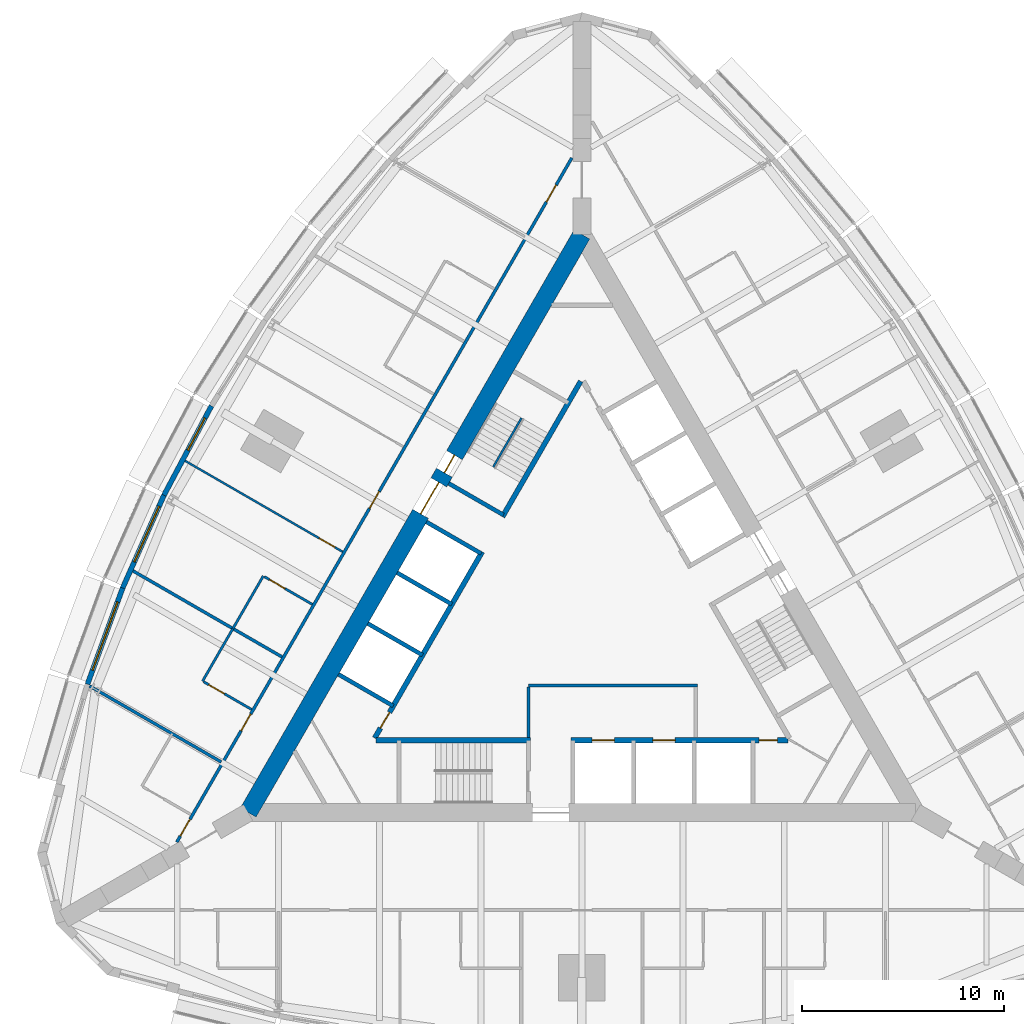
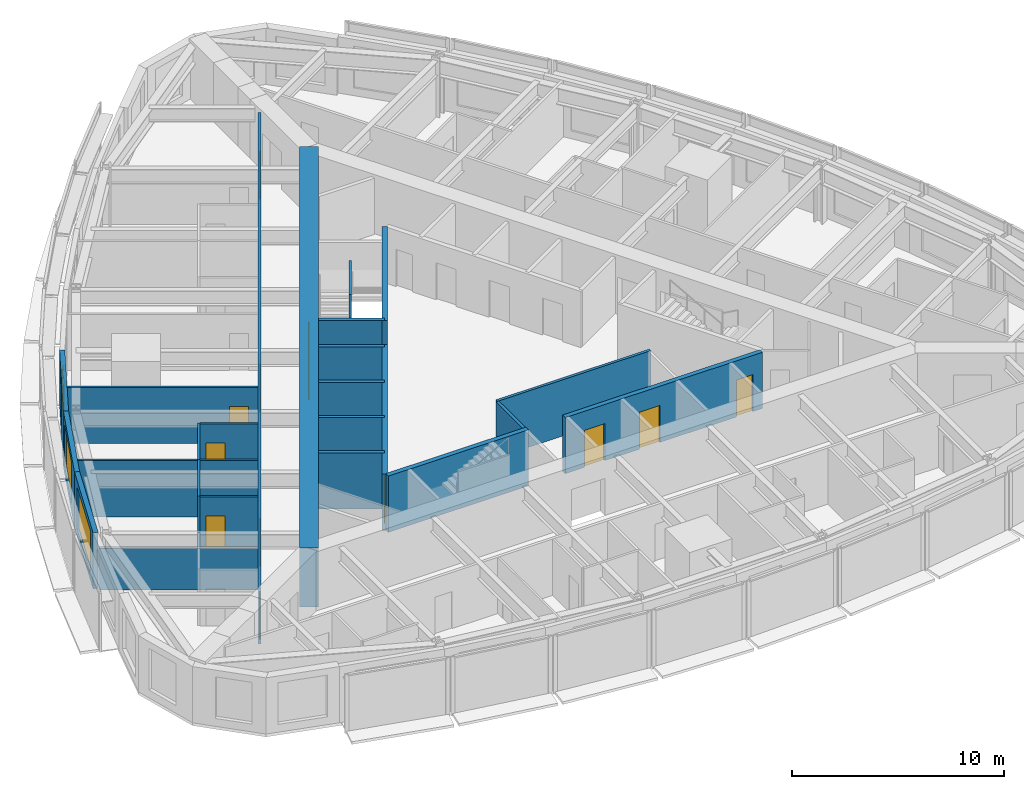
# One storey, part 9 of 14: 24 walls, 13 doors, 3 windows, 16 openings.
"""IFC4 building model written with IfcOpenShell, lengths in metres."""

import ifcopenshell
import ifcopenshell.guid

model = None  # the IFC model being written
_history = None  # IfcOwnerHistory: only IFC2X3 demands one
_inside = {}  # id of a spatial element -> (the spatial element, [elements in it])
_under = {}  # id of a project, library or spatial element -> (it, [spatial elements below it])
_declared = {}  # id of a project -> (the project, [libraries it declares])
_typed = {}  # id of a type object -> (the type object, [elements of that type])
_made_of = {}  # id of a material, layer set ... -> (it, [elements and type objects made of it])


def new_model(schema):
    """Start an empty IFC model of exactly this schema.

    Asked for "IFC4X3", IfcOpenShell would pick the latest addendum, in which some entities
    have other attributes; the version numbers below select the first issue.
    IFC2X3 requires an IfcOwnerHistory on every rooted entity: one is made here for all.
    """
    global model, _history
    if schema == "IFC4X3":
        model = ifcopenshell.file(schema_version=(4, 3, 0, 0))
    else:
        model = ifcopenshell.file(schema=schema)
    _inside.clear()
    _under.clear()
    _declared.clear()
    _typed.clear()
    _made_of.clear()
    _history = None
    if model.schema == "IFC2X3":
        org = make("IfcOrganization", Name="unknown")
        user = make(
            "IfcPersonAndOrganization",
            ThePerson=make("IfcPerson", FamilyName="unknown"),
            TheOrganization=org,
        )
        app = make(
            "IfcApplication",
            ApplicationDeveloper=org,
            Version="unknown",
            ApplicationFullName="unknown",
            ApplicationIdentifier="unknown",
        )
        _history = make(
            "IfcOwnerHistory",
            OwningUser=user,
            OwningApplication=app,
            ChangeAction="ADDED",
            CreationDate=0,
        )
    return model


def make(cls, **values):
    """One entity of the class cls with the attributes given. An attribute that is None is left unset."""
    return model.create_entity(
        cls, **{name: value for name, value in values.items() if value is not None}
    )


def rooted(cls, **values):
    """An entity with a GlobalId (a new one), such as an element, a storey or a relation."""
    return make(cls, GlobalId=ifcopenshell.guid.new(), OwnerHistory=_history, **values)


def si_unit(unit_type, name, prefix=None):
    """IfcSIUnit, for example si_unit("LENGTHUNIT", "METRE", prefix="MILLI")."""
    return make("IfcSIUnit", UnitType=unit_type, Prefix=prefix, Name=name)


def assignment(units):
    """IfcUnitAssignment: the units of a project."""
    return None if units is None else make("IfcUnitAssignment", Units=units)


def point(xyz):
    """IfcCartesianPoint."""
    return None if xyz is None else make("IfcCartesianPoint", Coordinates=xyz)


def direction(xyz):
    """IfcDirection."""
    return None if xyz is None else make("IfcDirection", DirectionRatios=xyz)


def frame(location, z_axis=None, x_axis=None):
    """IfcAxis2Placement3D, a coordinate frame: its origin and axes. An axis left out is left unset."""
    return make(
        "IfcAxis2Placement3D",
        Location=point(location),
        Axis=direction(z_axis),
        RefDirection=direction(x_axis),
    )


def frame_2d(location, x_axis=None):
    """IfcAxis2Placement2D, a coordinate frame in the plane: its origin and x axis."""
    return make(
        "IfcAxis2Placement2D", Location=point(location), RefDirection=direction(x_axis)
    )


def origin():
    """The frame at (0, 0, 0) with its axes left unset."""
    return frame((0.0, 0.0, 0.0))


def place(relative_to, where):
    """IfcLocalPlacement: puts the frame where relative to a parent placement (None: the world)."""
    return make(
        "IfcLocalPlacement", PlacementRelTo=relative_to, RelativePlacement=where
    )


def context(
    kind, dimensions, precision=None, world=None, true_north=None, identifier=None
):
    """IfcGeometricRepresentationContext, for example the 3D "Model" context."""
    return make(
        "IfcGeometricRepresentationContext",
        ContextIdentifier=identifier,
        ContextType=kind,
        CoordinateSpaceDimension=dimensions,
        Precision=precision,
        WorldCoordinateSystem=world,
        TrueNorth=true_north,
    )


def subcontext(parent, identifier, kind, view, scale=None):
    """IfcGeometricRepresentationSubContext, for example "Body" below "Model"."""
    return make(
        "IfcGeometricRepresentationSubContext",
        ContextIdentifier=identifier,
        ContextType=kind,
        ParentContext=parent,
        TargetScale=scale,
        TargetView=view,
    )


def project(units=None, contexts=None):
    """IfcProject with its units and contexts."""
    return rooted(
        "IfcProject",
        Name="project",
        RepresentationContexts=contexts,
        UnitsInContext=assignment(units),
    )


def spatial(cls, under=None, at=None, **own):
    """A site, building, storey or space (cls), placed at a placement, below another one or the project."""
    s = rooted(cls, ObjectPlacement=at, **own)
    if under is not None:
        _under.setdefault(under.id(), (under, []))[1].append(s)
    return s


def profile(cls, at=None, kind="AREA", **sizes):
    """A parametric profile (cls). Its sizes go by their IFC names, for example OverallWidth=200.0."""
    return make(cls, ProfileType=kind, Position=at, **sizes)


def rectangle(**sizes):
    """IfcRectangleProfileDef."""
    return profile("IfcRectangleProfileDef", **sizes)


def extrude(swept, where, along, depth):
    """IfcExtrudedAreaSolid: the profile swept, set in the frame where, extruded along a direction by depth."""
    return make(
        "IfcExtrudedAreaSolid",
        SweptArea=swept,
        Position=where,
        ExtrudedDirection=direction(along),
        Depth=depth,
    )


def shape(context_of_items, identifier, shape_type, items):
    """IfcShapeRepresentation: the items that make up one representation, for example the "Body"."""
    return make(
        "IfcShapeRepresentation",
        ContextOfItems=context_of_items,
        RepresentationIdentifier=identifier,
        RepresentationType=shape_type,
        Items=items,
    )


def material(Name=None, Category=None):
    """IfcMaterial."""
    return make("IfcMaterial", Name=Name, Category=Category)


def layer(
    of_material, thickness, ventilated=None, Name=None, Category=None, Priority=None
):
    """IfcMaterialLayer: one layer of a wall or slab, of a material (None: an air gap)."""
    return make(
        "IfcMaterialLayer",
        Material=of_material,
        LayerThickness=thickness,
        IsVentilated=ventilated,
        Name=Name,
        Category=Category,
        Priority=Priority,
    )


def layer_set(layers, Name=None):
    """IfcMaterialLayerSet."""
    return make("IfcMaterialLayerSet", MaterialLayers=layers, LayerSetName=Name)


def made_of(thing, what):
    """Note that an element or type object is made of a material, layer set ...; save() writes the relation."""
    if what is not None:
        _made_of.setdefault(what.id(), (what, []))[1].append(thing)
    return thing


def type_object(cls, material=None, **own):
    """A type object (cls), such as IfcWallType, which elements share."""
    return made_of(rooted(cls, **own), material)


def element(
    cls,
    number,
    at=None,
    inside=None,
    cuts=None,
    type_object=None,
    material=None,
    context=None,
    identifier="Body",
    shape_type=None,
    held_by="IfcProductDefinitionShape",
    body=None,
    shapes=None,
    **own,
):
    """One element of the class cls, such as IfcWall. Its Tag is "e" and its number.

    at: its placement. inside: the storey or other place that contains it. cuts: it is an
    opening in that element (IfcRelVoidsElement). A single representation is given by context,
    identifier, shape_type and body (its items); several are given by shapes. held_by: the class
    of the entity that holds the representations. save() writes the other relations.
    """
    e = rooted(cls, Tag="e%d" % number, ObjectPlacement=at, **own)
    if body is not None:
        shapes = [shape(context, identifier, shape_type, body)]
    if shapes is not None:
        e.Representation = make(held_by, Representations=shapes)
    if inside is not None:
        _inside.setdefault(inside.id(), (inside, []))[1].append(e)
    if cuts is not None:
        rooted(
            "IfcRelVoidsElement", RelatingBuildingElement=cuts, RelatedOpeningElement=e
        )
    if type_object is not None:
        _typed.setdefault(type_object.id(), (type_object, []))[1].append(e)
    return made_of(e, material)


def fill(opening, filler):
    """IfcRelFillsElement: the door or window that sits in an opening."""
    return rooted(
        "IfcRelFillsElement",
        RelatingOpeningElement=opening,
        RelatedBuildingElement=filler,
    )


def aggregate(whole, parts):
    """IfcRelAggregates: a whole, such as a stair, and the parts it consists of."""
    return rooted("IfcRelAggregates", RelatingObject=whole, RelatedObjects=parts)


def save(model, path):
    """Write the relations noted so far, then the file.

    IfcRelAggregates (storeys below a building ...), IfcRelContainedInSpatialStructure (elements
    in a storey), IfcRelDefinesByType, IfcRelAssociatesMaterial and IfcRelDeclares: one each for
    every whole, place, type object, material and project.
    """
    for whole, parts in _under.values():
        aggregate(whole, parts)
    for where, things in _inside.values():
        rooted(
            "IfcRelContainedInSpatialStructure",
            RelatedElements=things,
            RelatingStructure=where,
        )
    for kind, things in _typed.values():
        rooted("IfcRelDefinesByType", RelatedObjects=things, RelatingType=kind)
    for what, things in _made_of.values():
        rooted("IfcRelAssociatesMaterial", RelatedObjects=things, RelatingMaterial=what)
    for by, libraries in _declared.values():
        rooted("IfcRelDeclares", RelatingContext=by, RelatedDefinitions=libraries)
    model.write(path)


model = new_model("IFC4")

# Units and contexts
model_context = context("Model", 3, precision=1e-05, world=origin(), true_north=direction((0.0, 1.0)))
body_context = subcontext(model_context, "Body", "Model", "MODEL_VIEW")
ifc_project = project(units=[si_unit("LENGTHUNIT", "METRE"), si_unit("AREAUNIT", "SQUARE_METRE"), si_unit("VOLUMEUNIT", "CUBIC_METRE"), si_unit("PLANEANGLEUNIT", "RADIAN"), si_unit("MASSUNIT", "GRAM", prefix="KILO")], contexts=[model_context])

# Site, building, storey
site_placement = place(None, origin())
site = spatial("IfcSite", under=ifc_project, at=site_placement, CompositionType="ELEMENT")
building_placement = place(site_placement, origin())
building = spatial("IfcBuilding", under=site, at=building_placement, Name="Trikona Tower", CompositionType="ELEMENT")
storey_placement = place(building_placement, frame((0.0, 0.0, 165.699951171875)))
storey = spatial("IfcBuildingStorey", under=building, at=storey_placement, Name="L44", CompositionType="ELEMENT", Elevation=165.699951171875)

# Wall
ifc_material_1 = material(Name="Metal stud and cement board", Category="gypsum")
ifc_layer_1 = layer(ifc_material_1, 0.1201171875)
ifc_layer_set_1 = layer_set([ifc_layer_1], Name="Bathroom wall 120")
wall_type_1 = type_object("IfcWallType", Name="Bathroom wall 120", PredefinedType="PLUMBINGWALL", material=ifc_layer_set_1)
wall_1_placement = place(storey_placement, frame((-15.75341796875, 2.1669921875, 0.0), z_axis=(0.0, 0.0, 1.0), x_axis=(-0.499990139034, -0.866031096941, 0.0)))
element("IfcWall", 1, at=wall_1_placement, inside=storey, type_object=wall_type_1, Name="Bathroom wall 4411.2", PredefinedType="PLUMBINGWALL", context=body_context, shape_type="SweptSolid", body=[
    extrude(rectangle(XDim=3.0, YDim=0.1201171875, at=frame_2d((1.5, 0.0))), origin(), (0.0, 0.0, 1.0), 3.235107421875),
])

# Wall, opening, door
wall_2_placement = place(storey_placement, frame((-13.32861328125, 0.76708984375, 0.0), z_axis=(0.0, 0.0, 1.0), x_axis=(-0.866035715982, 0.499982138324, 0.0)))
wall_2 = element("IfcWall", 2, at=wall_2_placement, inside=storey, type_object=wall_type_1, Name="Bathroom wall 4411.2", PredefinedType="PLUMBINGWALL", context=body_context, shape_type="SweptSolid", body=[
    extrude(rectangle(XDim=2.73974609375, YDim=0.1201171875, at=frame_2d((1.369873046875, 0.0))), origin(), (0.0, 0.0, 1.0), 3.235107421875),
])
opening_1_placement = place(wall_2_placement, frame((1.550048828125, 0.0, 0.0)))
opening_1 = element("IfcOpeningElement", 3, at=opening_1_placement, cuts=wall_2, Name="Opening D2", PredefinedType="OPENING", context=body_context, shape_type="SweptSolid", body=[
    extrude(rectangle(XDim=0.89990234375, YDim=2.1298828125, at=frame_2d((0.449951171875, 1.06494140625))), frame((0.0, 0.070068359375, 0.0), z_axis=(0.0, -1.0, 0.0), x_axis=(1.0, 0.0, 0.0)), (0.0, 0.0, 1.0), 0.14013671875),
])
ifc_material_2 = material(Name="Steel door frame with solid-core timber leaf", Category="steel")
door_type_1 = type_object("IfcDoorType", Name="Bathroom door 900x2130", OperationType="SLIDING_TO_LEFT", PredefinedType="DOOR", material=ifc_material_2)
door_1_placement = place(opening_1_placement, origin())
door_1 = element("IfcDoor", 4, at=door_1_placement, inside=storey, type_object=door_type_1, Name="Bathroom door 4411.2", OperationType="SLIDING_TO_LEFT", OverallHeight=2.1298828125, OverallWidth=0.89990234375, PredefinedType="DOOR", context=body_context, shape_type="SweptSolid", body=[
    extrude(rectangle(XDim=0.89990234375, YDim=2.1298828125, at=frame_2d((0.449951171875, 1.06494140625))), frame((0.0, 0.02490234375, 0.0), z_axis=(0.0, -1.0, 0.0), x_axis=(1.0, 0.0, 0.0)), (0.0, 0.0, 1.0), 0.050048828125),
])
fill(opening_1, door_1)

# Wall
wall_3_placement = place(storey_placement, frame((-17.25341796875, -0.43115234375, 0.0), z_axis=(0.0, 0.0, 1.0), x_axis=(-0.499990139034, -0.866031096941, 0.0)))
element("IfcWall", 5, at=wall_3_placement, inside=storey, type_object=wall_type_1, Name="Bathroom wall 4412", PredefinedType="PLUMBINGWALL", context=body_context, shape_type="SweptSolid", body=[
    extrude(rectangle(XDim=3.0, YDim=0.1201171875, at=frame_2d((1.5, 0.0))), origin(), (0.0, 0.0, 1.0), 3.235107421875),
])

# Wall, opening, door
wall_4_placement = place(storey_placement, frame((-16.32861328125, -4.42919921875, 0.0), z_axis=(0.0, 0.0, 1.0), x_axis=(-0.865997131366, 0.500048966069, 0.0)))
wall_4 = element("IfcWall", 6, at=wall_4_placement, inside=storey, type_object=wall_type_1, Name="Bathroom wall 4412", PredefinedType="PLUMBINGWALL", context=body_context, shape_type="SweptSolid", body=[
    extrude(rectangle(XDim=2.739990234375, YDim=0.1201171875, at=frame_2d((1.3701171875, 0.0))), origin(), (0.0, 0.0, 1.0), 3.235107421875),
])
opening_2_placement = place(wall_4_placement, frame((1.550048828125, 0.0, 0.0)))
opening_2 = element("IfcOpeningElement", 7, at=opening_2_placement, cuts=wall_4, Name="Opening D2", PredefinedType="OPENING", context=body_context, shape_type="SweptSolid", body=[
    extrude(rectangle(XDim=0.89990234375, YDim=2.1298828125, at=frame_2d((0.449951171875, 1.06494140625))), frame((0.0, 0.070068359375, 0.0), z_axis=(0.0, -1.0, 0.0), x_axis=(1.0, 0.0, 0.0)), (0.0, 0.0, 1.0), 0.14013671875),
])
door_2_placement = place(opening_2_placement, origin())
door_2 = element("IfcDoor", 8, at=door_2_placement, inside=storey, type_object=door_type_1, Name="Bathroom door 4412", OperationType="SLIDING_TO_LEFT", OverallHeight=2.1298828125, OverallWidth=0.89990234375, PredefinedType="DOOR", context=body_context, shape_type="SweptSolid", body=[
    extrude(rectangle(XDim=0.89990234375, YDim=2.1298828125, at=frame_2d((0.449951171875, 1.06494140625))), frame((0.0, 0.02490234375, 0.0), z_axis=(0.0, -1.0, 0.0), x_axis=(1.0, 0.0, 0.0)), (0.0, 0.0, 1.0), 0.050048828125),
])
fill(opening_2, door_2)

# Wall, openings, doors
ifc_material_3 = material(Name="Concrete f'c 10000 psi", Category="concrete")
ifc_layer_2 = layer(ifc_material_3, 0.89990234375)
ifc_layer_set_2 = layer_set([ifc_layer_2], Name="Core wall 900")
wall_type_2 = type_object("IfcWallType", Name="Core wall 900", PredefinedType="SHEAR", material=ifc_layer_set_2)
wall_5_placement = place(storey_placement, frame((0.0, 19.052490234375, 0.0), z_axis=(0.0, 0.0, 1.0), x_axis=(-0.499999749417, -0.866025548458, 0.0)))
wall_5 = element("IfcWall", 9, at=wall_5_placement, inside=storey, type_object=wall_type_2, Name="Core wall C", PredefinedType="SHEAR", context=body_context, shape_type="SweptSolid", body=[
    extrude(rectangle(XDim=33.0, YDim=0.89990234375, at=frame_2d((16.5, 0.0))), origin(), (0.0, 0.0, 1.0), 3.400146484375),
])
opening_3_placement = place(wall_5_placement, frame((14.14990234375, 0.0, 0.0)))
opening_3 = element("IfcOpeningElement", 10, at=opening_3_placement, cuts=wall_5, Name="Opening D6", PredefinedType="OPENING", context=body_context, shape_type="SweptSolid", body=[
    extrude(rectangle(XDim=1.800048828125, YDim=2.1298828125, at=frame_2d((0.89990234375, 1.06494140625))), frame((0.0, 0.4599609375, 0.0), z_axis=(0.0, -1.0, 0.0), x_axis=(1.0, 0.0, 0.0)), (0.0, 0.0, 1.0), 0.919921875),
])
opening_4_placement = place(wall_5_placement, frame((12.60009765625, 0.0, 0.0)))
opening_4 = element("IfcOpeningElement", 11, at=opening_4_placement, cuts=wall_5, Name="Opening D5", PredefinedType="OPENING", context=body_context, shape_type="SweptSolid", body=[
    extrude(rectangle(XDim=1.0, YDim=2.1298828125, at=frame_2d((0.5, 1.06494140625))), frame((0.0, 0.4599609375, 0.0), z_axis=(0.0, -1.0, 0.0), x_axis=(1.0, 0.0, 0.0)), (0.0, 0.0, 1.0), 0.919921875),
])
ifc_material_4 = material(Name="Hollow metal door and frame", Category="steel")
door_type_2 = type_object("IfcDoorType", Name="Lobby door pair 1800x2130", OperationType="DOUBLE_DOOR_SINGLE_SWING", PredefinedType="DOOR", material=ifc_material_4)
door_3_placement = place(opening_3_placement, origin())
door_3 = element("IfcDoor", 12, at=door_3_placement, inside=storey, type_object=door_type_2, Name="Lift lobby door C", OperationType="DOUBLE_DOOR_SINGLE_SWING", OverallHeight=2.1298828125, OverallWidth=1.800048828125, PredefinedType="DOOR", context=body_context, shape_type="SweptSolid", body=[
    extrude(rectangle(XDim=1.800048828125, YDim=2.1298828125, at=frame_2d((0.89990234375, 1.06494140625))), frame((0.0, 0.02490234375, 0.0), z_axis=(0.0, -1.0, 0.0), x_axis=(1.0, 0.0, 0.0)), (0.0, 0.0, 1.0), 0.050048828125),
])
fill(opening_3, door_3)
ifc_material_5 = material(Name="Hollow metal door and frame", Category="steel")
door_type_3 = type_object("IfcDoorType", Name="Stair door 1000x2130", OperationType="SINGLE_SWING_LEFT", PredefinedType="DOOR", material=ifc_material_5)
door_4_placement = place(opening_4_placement, origin())
door_4 = element("IfcDoor", 13, at=door_4_placement, inside=storey, type_object=door_type_3, Name="Stair C door", OperationType="SINGLE_SWING_RIGHT", OverallHeight=2.1298828125, OverallWidth=1.0, PredefinedType="DOOR", context=body_context, shape_type="SweptSolid", body=[
    extrude(rectangle(XDim=1.0, YDim=2.1298828125, at=frame_2d((0.5, 1.06494140625))), frame((0.0, 0.02490234375, 0.0), z_axis=(0.0, -1.0, 0.0), x_axis=(1.0, 0.0, 0.0)), (0.0, 0.0, 1.0), 0.050048828125),
])
fill(opening_4, door_4)

ifc_material_6 = material(Name="Metal stud and gypsum board, 1-hour", Category="gypsum")
ifc_layer_3 = layer(ifc_material_6, 0.14990234375)
ifc_layer_set_3 = layer_set([ifc_layer_3], Name="Corridor wall 150")
wall_type_3 = type_object("IfcWallType", Name="Corridor wall 150", PredefinedType="PARTITIONING", material=ifc_layer_set_3)
wall_6_placement = place(storey_placement, frame((-0.5, 22.83642578125, 0.0), z_axis=(0.0, 0.0, 1.0), x_axis=(-0.500001677587, -0.866024435227, 0.0)))
wall_6 = element("IfcWall", 14, at=wall_6_placement, inside=storey, type_object=wall_type_3, Name="Corridor wall L44-3", PredefinedType="PARTITIONING", context=body_context, shape_type="SweptSolid", body=[
    extrude(rectangle(XDim=39.053955078125, YDim=0.14990234375, at=frame_2d((19.52685546875, 0.0))), origin(), (0.0, 0.0, 1.0), 3.235107421875),
])
opening_5_placement = place(wall_6_placement, frame((1.558349609375, 0.0, 0.0)))
opening_5 = element("IfcOpeningElement", 15, at=opening_5_placement, cuts=wall_6, Name="Opening D1", PredefinedType="OPENING", context=body_context, shape_type="SweptSolid", body=[
    extrude(rectangle(XDim=0.949951171875, YDim=2.1298828125, at=frame_2d((0.47509765625, 1.06494140625))), frame((0.0, 0.0849609375, 0.0), z_axis=(0.0, -1.0, 0.0), x_axis=(1.0, 0.0, 0.0)), (0.0, 0.0, 1.0), 0.169921875),
])
opening_6_placement = place(wall_6_placement, frame((19.052001953125, 0.0, 0.0)))
opening_6 = element("IfcOpeningElement", 16, at=opening_6_placement, cuts=wall_6, Name="Opening D1", PredefinedType="OPENING", context=body_context, shape_type="SweptSolid", body=[
    extrude(rectangle(XDim=0.949951171875, YDim=2.1298828125, at=frame_2d((0.47509765625, 1.06494140625))), frame((0.0, 0.0849609375, 0.0), z_axis=(0.0, -1.0, 0.0), x_axis=(1.0, 0.0, 0.0)), (0.0, 0.0, 1.0), 0.169921875),
])
opening_7_placement = place(wall_6_placement, frame((31.751953125, 0.0, 0.0)))
opening_7 = element("IfcOpeningElement", 17, at=opening_7_placement, cuts=wall_6, Name="Opening D1", PredefinedType="OPENING", context=body_context, shape_type="SweptSolid", body=[
    extrude(rectangle(XDim=0.949951171875, YDim=2.1298828125, at=frame_2d((0.47509765625, 1.06494140625))), frame((0.0, 0.0849609375, 0.0), z_axis=(0.0, -1.0, 0.0), x_axis=(1.0, 0.0, 0.0)), (0.0, 0.0, 1.0), 0.169921875),
])
opening_8_placement = place(wall_6_placement, frame((37.751953125, 0.0, 0.0)))
opening_8 = element("IfcOpeningElement", 18, at=opening_8_placement, cuts=wall_6, Name="Opening D1", PredefinedType="OPENING", context=body_context, shape_type="SweptSolid", body=[
    extrude(rectangle(XDim=0.949951171875, YDim=2.1298828125, at=frame_2d((0.47509765625, 1.06494140625))), frame((0.0, 0.0849609375, 0.0), z_axis=(0.0, -1.0, 0.0), x_axis=(1.0, 0.0, 0.0)), (0.0, 0.0, 1.0), 0.169921875),
])
ifc_material_7 = material(Name="Steel door frame with solid-core timber leaf", Category="steel")
door_type_4 = type_object("IfcDoorType", Name="Guest room door 950x2130", OperationType="SINGLE_SWING_LEFT", PredefinedType="DOOR", material=ifc_material_7)
door_5_placement = place(opening_5_placement, origin())
door_5 = element("IfcDoor", 19, at=door_5_placement, inside=storey, type_object=door_type_4, Name="Room door 4410", OperationType="SINGLE_SWING_LEFT", OverallHeight=2.1298828125, OverallWidth=0.949951171875, PredefinedType="DOOR", context=body_context, shape_type="SweptSolid", body=[
    extrude(rectangle(XDim=0.949951171875, YDim=2.1298828125, at=frame_2d((0.47509765625, 1.06494140625))), frame((0.0, 0.02490234375, 0.0), z_axis=(0.0, -1.0, 0.0), x_axis=(1.0, 0.0, 0.0)), (0.0, 0.0, 1.0), 0.050048828125),
])
fill(opening_5, door_5)
door_6_placement = place(opening_6_placement, origin())
door_6 = element("IfcDoor", 20, at=door_6_placement, inside=storey, type_object=door_type_4, Name="Room door 4411", OperationType="SINGLE_SWING_RIGHT", OverallHeight=2.1298828125, OverallWidth=0.949951171875, PredefinedType="DOOR", context=body_context, shape_type="SweptSolid", body=[
    extrude(rectangle(XDim=0.949951171875, YDim=2.1298828125, at=frame_2d((0.47509765625, 1.06494140625))), frame((0.0, 0.02490234375, 0.0), z_axis=(0.0, -1.0, 0.0), x_axis=(1.0, 0.0, 0.0)), (0.0, 0.0, 1.0), 0.050048828125),
])
fill(opening_6, door_6)
door_7_placement = place(opening_7_placement, origin())
door_7 = element("IfcDoor", 21, at=door_7_placement, inside=storey, type_object=door_type_4, Name="Room door 4412", OperationType="SINGLE_SWING_LEFT", OverallHeight=2.1298828125, OverallWidth=0.949951171875, PredefinedType="DOOR", context=body_context, shape_type="SweptSolid", body=[
    extrude(rectangle(XDim=0.949951171875, YDim=2.1298828125, at=frame_2d((0.47509765625, 1.06494140625))), frame((0.0, 0.02490234375, 0.0), z_axis=(0.0, -1.0, 0.0), x_axis=(1.0, 0.0, 0.0)), (0.0, 0.0, 1.0), 0.050048828125),
])
fill(opening_7, door_7)
door_8_placement = place(opening_8_placement, origin())
door_8 = element("IfcDoor", 22, at=door_8_placement, inside=storey, type_object=door_type_4, Name="Room door 4413", OperationType="SINGLE_SWING_RIGHT", OverallHeight=2.1298828125, OverallWidth=0.949951171875, PredefinedType="DOOR", context=body_context, shape_type="SweptSolid", body=[
    extrude(rectangle(XDim=0.949951171875, YDim=2.1298828125, at=frame_2d((0.47509765625, 1.06494140625))), frame((0.0, 0.02490234375, 0.0), z_axis=(0.0, -1.0, 0.0), x_axis=(1.0, 0.0, 0.0)), (0.0, 0.0, 1.0), 0.050048828125),
])
fill(opening_8, door_8)

# Wall
ifc_material_8 = material(Name="Concrete f'c 8000 psi", Category="concrete")
ifc_layer_4 = layer(ifc_material_8, 0.25)
ifc_layer_set_4 = layer_set([ifc_layer_4], Name="Hub wall 250")
wall_type_4 = type_object("IfcWallType", Name="Hub wall 250", PredefinedType="SOLIDWALL", material=ifc_layer_set_4)
wall_7_placement = place(storey_placement, frame((-10.182861328125, -5.951416015625, 0.0), z_axis=(0.0, 0.0, 1.0), x_axis=(1.0, 0.0, 0.0)))
element("IfcWall", 23, at=wall_7_placement, inside=storey, type_object=wall_type_4, Name="Lift lobby wall A1", PredefinedType="SOLIDWALL", context=body_context, shape_type="SweptSolid", body=[
    extrude(rectangle(XDim=7.6328125, YDim=0.25, at=frame_2d((3.81640625, 0.0))), origin(), (0.0, 0.0, 1.0), 3.235107421875),
])

# Wall, openings, doors
wall_8_placement = place(storey_placement, frame((-0.550048828125, -5.951416015625, 0.0), z_axis=(0.0, 0.0, 1.0), x_axis=(1.0, 0.0, 0.0)))
wall_8 = element("IfcWall", 24, at=wall_8_placement, inside=storey, type_object=wall_type_4, Name="Lift lobby wall A2", PredefinedType="SOLIDWALL", context=body_context, shape_type="SweptSolid", body=[
    extrude(rectangle(XDim=10.73291015625, YDim=0.25, at=frame_2d((5.366455078125, 0.0))), origin(), (0.0, 0.0, 1.0), 3.235107421875),
])
opening_9_placement = place(wall_8_placement, frame((9.31396484375, 0.0, 0.0)))
opening_9 = element("IfcOpeningElement", 25, at=opening_9_placement, cuts=wall_8, Name="Opening D14", PredefinedType="OPENING", context=body_context, shape_type="SweptSolid", body=[
    extrude(rectangle(XDim=0.89990234375, YDim=2.1298828125, at=frame_2d((0.449951171875, 1.06494140625))), frame((0.0, 0.135009765625, 0.0), z_axis=(0.0, -1.0, 0.0), x_axis=(1.0, 0.0, 0.0)), (0.0, 0.0, 1.0), 0.27001953125),
])
opening_10_placement = place(wall_8_placement, frame((1.050048828125, 0.0, 0.0)))
opening_10 = element("IfcOpeningElement", 26, at=opening_10_placement, cuts=wall_8, Name="Opening LD", PredefinedType="OPENING", context=body_context, shape_type="SweptSolid", body=[
    extrude(rectangle(XDim=1.10009765625, YDim=2.1298828125, at=frame_2d((0.550048828125, 1.06494140625))), frame((0.0, 0.135009765625, 0.0), z_axis=(0.0, -1.0, 0.0), x_axis=(1.0, 0.0, 0.0)), (0.0, 0.0, 1.0), 0.27001953125),
])
opening_11_placement = place(wall_8_placement, frame((4.050048828125, 0.0, 0.0)))
opening_11 = element("IfcOpeningElement", 27, at=opening_11_placement, cuts=wall_8, Name="Opening LD", PredefinedType="OPENING", context=body_context, shape_type="SweptSolid", body=[
    extrude(rectangle(XDim=1.10009765625, YDim=2.1298828125, at=frame_2d((0.550048828125, 1.06494140625))), frame((0.0, 0.135009765625, 0.0), z_axis=(0.0, -1.0, 0.0), x_axis=(1.0, 0.0, 0.0)), (0.0, 0.0, 1.0), 0.27001953125),
])
ifc_material_9 = material(Name="Stainless steel lift landing door", Category="steel")
door_type_5 = type_object("IfcDoorType", Name="Lift landing door 1100x2130", OperationType="DOUBLE_DOOR_SLIDING", PredefinedType="USERDEFINED", material=ifc_material_9)
door_9_placement = place(opening_10_placement, origin())
door_9 = element("IfcDoor", 28, at=door_9_placement, inside=storey, type_object=door_type_5, Name="Lift landing door FF1", ObjectType="LIFT LANDING DOOR", OperationType="DOUBLE_DOOR_SLIDING", OverallHeight=2.1298828125, OverallWidth=1.10009765625, PredefinedType="USERDEFINED", context=body_context, shape_type="SweptSolid", body=[
    extrude(rectangle(XDim=1.10009765625, YDim=2.1298828125, at=frame_2d((0.550048828125, 1.06494140625))), frame((0.0, 0.02490234375, 0.0), z_axis=(0.0, -1.0, 0.0), x_axis=(1.0, 0.0, 0.0)), (0.0, 0.0, 1.0), 0.050048828125),
])
fill(opening_10, door_9)
door_10_placement = place(opening_11_placement, origin())
door_10 = element("IfcDoor", 29, at=door_10_placement, inside=storey, type_object=door_type_5, Name="Lift landing door FF2", ObjectType="LIFT LANDING DOOR", OperationType="DOUBLE_DOOR_SLIDING", OverallHeight=2.1298828125, OverallWidth=1.10009765625, PredefinedType="USERDEFINED", context=body_context, shape_type="SweptSolid", body=[
    extrude(rectangle(XDim=1.10009765625, YDim=2.1298828125, at=frame_2d((0.550048828125, 1.06494140625))), frame((0.0, 0.02490234375, 0.0), z_axis=(0.0, -1.0, 0.0), x_axis=(1.0, 0.0, 0.0)), (0.0, 0.0, 1.0), 0.050048828125),
])
fill(opening_11, door_10)
ifc_material_10 = material(Name="Hollow metal door and frame", Category="steel")
door_type_6 = type_object("IfcDoorType", Name="Service room door 900x2130", OperationType="SINGLE_SWING_LEFT", PredefinedType="DOOR", material=ifc_material_10)
door_11_placement = place(opening_9_placement, origin())
door_11 = element("IfcDoor", 30, at=door_11_placement, inside=storey, type_object=door_type_6, Name="Door Housekeeping store HKS", OperationType="SINGLE_SWING_RIGHT", OverallHeight=2.1298828125, OverallWidth=0.89990234375, PredefinedType="DOOR", context=body_context, shape_type="SweptSolid", body=[
    extrude(rectangle(XDim=0.89990234375, YDim=2.1298828125, at=frame_2d((0.449951171875, 1.06494140625))), frame((0.0, 0.02490234375, 0.0), z_axis=(0.0, -1.0, 0.0), x_axis=(1.0, 0.0, 0.0)), (0.0, 0.0, 1.0), 0.050048828125),
])
fill(opening_9, door_11)

# Wall
wall_9_placement = place(storey_placement, frame((-0.0625, 11.794189453125, 0.0), z_axis=(0.0, 0.0, 1.0), x_axis=(-0.500006680225, -0.86602154692, 0.0)))
element("IfcWall", 31, at=wall_9_placement, inside=storey, type_object=wall_type_4, Name="Lift lobby wall C1", PredefinedType="SOLIDWALL", context=body_context, shape_type="SweptSolid", body=[
    extrude(rectangle(XDim=7.73291015625, YDim=0.25, at=frame_2d((3.866455078125, 0.0))), origin(), (0.0, 0.0, 1.0), 3.235107421875),
])

# Wall, opening, door
wall_10_placement = place(storey_placement, frame((-4.928955078125, 3.365478515625, 0.0), z_axis=(0.0, 0.0, 1.0), x_axis=(-0.499991433582, -0.866030349552, 0.0)))
wall_10 = element("IfcWall", 32, at=wall_10_placement, inside=storey, type_object=wall_type_4, Name="Lift lobby wall C2", PredefinedType="SOLIDWALL", context=body_context, shape_type="SweptSolid", body=[
    extrude(rectangle(XDim=10.633056640625, YDim=0.25, at=frame_2d((5.31640625, 0.0))), origin(), (0.0, 0.0, 1.0), 3.235107421875),
])
opening_12_placement = place(wall_10_placement, frame((9.1640625, 0.0, 0.0)))
opening_12 = element("IfcOpeningElement", 33, at=opening_12_placement, cuts=wall_10, Name="Opening D14", PredefinedType="OPENING", context=body_context, shape_type="SweptSolid", body=[
    extrude(rectangle(XDim=0.89990234375, YDim=2.1298828125, at=frame_2d((0.449951171875, 1.06494140625))), frame((0.0, 0.135009765625, 0.0), z_axis=(0.0, -1.0, 0.0), x_axis=(1.0, 0.0, 0.0)), (0.0, 0.0, 1.0), 0.27001953125),
])
door_12_placement = place(opening_12_placement, origin())
door_12 = element("IfcDoor", 34, at=door_12_placement, inside=storey, type_object=door_type_6, Name="Door Linen store LIN", OperationType="SINGLE_SWING_RIGHT", OverallHeight=2.1298828125, OverallWidth=0.89990234375, PredefinedType="DOOR", context=body_context, shape_type="SweptSolid", body=[
    extrude(rectangle(XDim=0.89990234375, YDim=2.1298828125, at=frame_2d((0.449951171875, 1.06494140625))), frame((0.0, 0.02490234375, 0.0), z_axis=(0.0, -1.0, 0.0), x_axis=(1.0, 0.0, 0.0)), (0.0, 0.0, 1.0), 0.050048828125),
])
fill(opening_12, door_12)

# Wall, opening, window
ifc_material_11 = material(Name="Insulated precast concrete spandrel panel", Category="concrete")
ifc_layer_5 = layer(ifc_material_11, 0.25)
ifc_layer_set_5 = layer_set([ifc_layer_5], Name="Inner skin wall 250")
wall_type_5 = type_object("IfcWallType", Name="Inner skin wall 250", PredefinedType="STANDARD", material=ifc_layer_set_5)
wall_11_placement = place(storey_placement, frame((-18.314453125, 10.578857421875, 0.0), z_axis=(0.0, 0.0, 1.0), x_axis=(-0.469404966864, -0.882982999317, 0.0)))
wall_11 = element("IfcWall", 35, at=wall_11_placement, inside=storey, type_object=wall_type_5, Name="External wall L44-28", PredefinedType="STANDARD", context=body_context, shape_type="SweptSolid", body=[
    extrude(rectangle(XDim=5.0029296875, YDim=0.25, at=frame_2d((2.50146484375, 0.0))), origin(), (0.0, 0.0, 1.0), 3.235107421875),
])
opening_13_placement = place(wall_11_placement, frame((0.683837890625, 0.0, 0.449951171875)))
opening_13 = element("IfcOpeningElement", 36, at=opening_13_placement, cuts=wall_11, Name="Opening W1824", PredefinedType="OPENING", context=body_context, shape_type="SweptSolid", body=[
    extrude(rectangle(XDim=1.800048828125, YDim=2.39990234375, at=frame_2d((0.89990234375, 1.199951171875))), frame((0.0, 0.135009765625, 0.0), z_axis=(0.0, -1.0, 0.0), x_axis=(1.0, 0.0, 0.0)), (0.0, 0.0, 1.0), 0.27001953125),
])
ifc_material_12 = material(Name="Aluminium-framed double glazing", Category="aluminium")
window_type_1 = type_object("IfcWindowType", Name="Window 1800x2400", PartitioningType="SINGLE_PANEL", PredefinedType="WINDOW", material=ifc_material_12)
window_1_placement = place(opening_13_placement, origin())
window_1 = element("IfcWindow", 37, at=window_1_placement, inside=storey, type_object=window_type_1, Name="Window 4411", OverallHeight=2.39990234375, OverallWidth=1.800048828125, PartitioningType="SINGLE_PANEL", PredefinedType="WINDOW", context=body_context, shape_type="SweptSolid", body=[
    extrude(rectangle(XDim=1.800048828125, YDim=2.39990234375, at=frame_2d((0.89990234375, 1.199951171875))), frame((0.0, 0.030029296875, 0.0), z_axis=(0.0, -1.0, 0.0), x_axis=(1.0, 0.0, 0.0)), (0.0, 0.0, 1.0), 0.06005859375),
])
fill(opening_13, window_1)

wall_12_placement = place(storey_placement, frame((-20.6591796875, 6.169189453125, 0.0), z_axis=(0.0, 0.0, 1.0), x_axis=(-0.406832200364, -0.913502906808, 0.0)))
wall_12 = element("IfcWall", 38, at=wall_12_placement, inside=storey, type_object=wall_type_5, Name="External wall L44-29", PredefinedType="STANDARD", context=body_context, shape_type="SweptSolid", body=[
    extrude(rectangle(XDim=5.027587890625, YDim=0.25, at=frame_2d((2.513671875, 0.0))), origin(), (0.0, 0.0, 1.0), 3.235107421875),
])
opening_14_placement = place(wall_12_placement, frame((0.609619140625, 0.0, 0.449951171875)))
opening_14 = element("IfcOpeningElement", 39, at=opening_14_placement, cuts=wall_12, Name="Opening W3024", PredefinedType="OPENING", context=body_context, shape_type="SweptSolid", body=[
    extrude(rectangle(XDim=3.0, YDim=2.39990234375, at=frame_2d((1.5, 1.199951171875))), frame((0.0, 0.135009765625, 0.0), z_axis=(0.0, -1.0, 0.0), x_axis=(1.0, 0.0, 0.0)), (0.0, 0.0, 1.0), 0.27001953125),
])
ifc_material_13 = material(Name="Aluminium-framed double glazing", Category="aluminium")
window_type_2 = type_object("IfcWindowType", Name="Window 3000x2400", PartitioningType="SINGLE_PANEL", PredefinedType="WINDOW", material=ifc_material_13)
window_2_placement = place(opening_14_placement, origin())
window_2 = element("IfcWindow", 40, at=window_2_placement, inside=storey, type_object=window_type_2, Name="Window 4411.2", OverallHeight=2.39990234375, OverallWidth=3.0, PartitioningType="SINGLE_PANEL", PredefinedType="WINDOW", context=body_context, shape_type="SweptSolid", body=[
    extrude(rectangle(XDim=3.0, YDim=2.39990234375, at=frame_2d((1.5, 1.199951171875))), frame((0.0, 0.030029296875, 0.0), z_axis=(0.0, -1.0, 0.0), x_axis=(1.0, 0.0, 0.0)), (0.0, 0.0, 1.0), 0.06005859375),
])
fill(opening_14, window_2)

wall_13_placement = place(storey_placement, frame((-22.701416015625, 1.58447265625, 0.0), z_axis=(0.0, 0.0, 1.0), x_axis=(-0.343225593282, -0.939252996863, 0.0)))
wall_13 = element("IfcWall", 41, at=wall_13_placement, inside=storey, type_object=wall_type_5, Name="External wall L44-30", PredefinedType="STANDARD", context=body_context, shape_type="SweptSolid", body=[
    extrude(rectangle(XDim=5.075927734375, YDim=0.25, at=frame_2d((2.5380859375, 0.0))), origin(), (0.0, 0.0, 1.0), 3.235107421875),
])
opening_15_placement = place(wall_13_placement, frame((0.738037109375, 0.0, 0.449951171875)))
opening_15 = element("IfcOpeningElement", 42, at=opening_15_placement, cuts=wall_13, Name="Opening W3624", PredefinedType="OPENING", context=body_context, shape_type="SweptSolid", body=[
    extrude(rectangle(XDim=3.60009765625, YDim=2.39990234375, at=frame_2d((1.800048828125, 1.199951171875))), frame((0.0, 0.135009765625, 0.0), z_axis=(0.0, -1.0, 0.0), x_axis=(1.0, 0.0, 0.0)), (0.0, 0.0, 1.0), 0.27001953125),
])
ifc_material_14 = material(Name="Aluminium-framed double glazing", Category="aluminium")
window_type_3 = type_object("IfcWindowType", Name="Window 3600x2400", PartitioningType="SINGLE_PANEL", PredefinedType="WINDOW", material=ifc_material_14)
window_3_placement = place(opening_15_placement, origin())
window_3 = element("IfcWindow", 43, at=window_3_placement, inside=storey, type_object=window_type_3, Name="Window 4412", OverallHeight=2.39990234375, OverallWidth=3.60009765625, PartitioningType="SINGLE_PANEL", PredefinedType="WINDOW", context=body_context, shape_type="SweptSolid", body=[
    extrude(rectangle(XDim=3.60009765625, YDim=2.39990234375, at=frame_2d((1.800048828125, 1.199951171875))), frame((0.0, 0.030029296875, 0.0), z_axis=(0.0, -1.0, 0.0), x_axis=(1.0, 0.0, 0.0)), (0.0, 0.0, 1.0), 0.06005859375),
])
fill(opening_15, window_3)

# Walls
ifc_material_15 = material(Name="Metal stud and gypsum board, 2-hour shaft wall", Category="gypsum")
ifc_layer_6 = layer(ifc_material_15, 0.14990234375)
ifc_layer_set_6 = layer_set([ifc_layer_6], Name="Lobby wall 150")
wall_type_6 = type_object("IfcWallType", Name="Lobby wall 150", PredefinedType="PARTITIONING", material=ifc_layer_set_6)
wall_14_placement = place(storey_placement, frame((-2.64990234375, -3.251220703125, 0.0), z_axis=(0.0, 0.0, 1.0), x_axis=(1.0, 0.0, 0.0)))
element("IfcWall", 44, at=wall_14_placement, inside=storey, type_object=wall_type_6, Name="Fire service lift lobby wall 1", PredefinedType="PARTITIONING", context=body_context, shape_type="SweptSolid", body=[
    extrude(rectangle(XDim=8.349853515625, YDim=0.14990234375, at=frame_2d((4.1748046875, 0.0))), origin(), (0.0, 0.0, 1.0), 3.235107421875),
])
wall_15_placement = place(storey_placement, frame((-2.64990234375, -5.826416015625, 0.0), z_axis=(0.0, 0.0, 1.0), x_axis=(0.0, 1.0, 0.0)))
element("IfcWall", 45, at=wall_15_placement, inside=storey, type_object=wall_type_6, Name="Fire service lift lobby wall 2", PredefinedType="PARTITIONING", context=body_context, shape_type="SweptSolid", body=[
    extrude(rectangle(XDim=2.5, YDim=0.14990234375, at=frame_2d((1.25, 0.0))), origin(), (0.0, 0.0, 1.0), 3.235107421875),
])
ifc_material_16 = material(Name="Metal stud and gypsum board, 1-hour acoustic", Category="gypsum")
ifc_layer_7 = layer(ifc_material_16, 0.14990234375)
ifc_layer_set_7 = layer_set([ifc_layer_7], Name="Party wall 150")
wall_type_7 = type_object("IfcWallType", Name="Party wall 150", PredefinedType="PARTITIONING", material=ifc_layer_set_7)
wall_16_placement = place(storey_placement, frame((-14.82861328125, -1.8310546875, 0.0), z_axis=(0.0, 0.0, 1.0), x_axis=(-0.866023962952, 0.500002495586, 0.0)))
element("IfcWall", 46, at=wall_16_placement, inside=storey, type_object=wall_type_7, Name="Partition L44 F3 u9", PredefinedType="PARTITIONING", context=body_context, shape_type="SweptSolid", body=[
    extrude(rectangle(XDim=8.50244140625, YDim=0.14990234375, at=frame_2d((4.251220703125, 0.0))), origin(), (0.0, 0.0, 1.0), 3.235107421875),
])
wall_17_placement = place(storey_placement, frame((-17.82861328125, -7.027099609375, 0.0), z_axis=(0.0, 0.0, 1.0), x_axis=(-0.866029804378, 0.499992377871, 0.0)))
element("IfcWall", 47, at=wall_17_placement, inside=storey, type_object=wall_type_7, Name="Partition L44 F3 u15", PredefinedType="PARTITIONING", context=body_context, shape_type="SweptSolid", body=[
    extrude(rectangle(XDim=7.51611328125, YDim=0.14990234375, at=frame_2d((3.758056640625, 0.0))), origin(), (0.0, 0.0, 1.0), 2.38916015625),
])
ifc_material_17 = material(Name="Concrete f'c 8000 psi", Category="concrete")
ifc_layer_8 = layer(ifc_material_17, 0.199951171875)
ifc_layer_set_8 = layer_set([ifc_layer_8], Name="Shaft wall 200")
wall_type_8 = type_object("IfcWallType", Name="Shaft wall 200", PredefinedType="SOLIDWALL", material=ifc_layer_set_8)
for number, where, z_axis, x_axis, name in (
    (48, (-4.97900390625, 3.27880859375, 0.0), (0.0, 0.0, 1.0), (-0.866022959057, 0.500004234368, 0.0), "Shaft wall C3"),
    (49, (-6.428955078125, 0.767333984375, 0.0), (0.0, 0.0, 1.0), (-0.866022959057, 0.500004234368, 0.0), "Shaft wall C4"),
    (50, (-7.87890625, -1.744140625, 0.0), (0.0, 0.0, 1.0), (-0.866022959057, 0.500004234368, 0.0), "Shaft wall C5"),
    (51, (-9.3291015625, -4.255615234375, 0.0), (0.0, 0.0, 1.0), (-0.866022959057, 0.500004234368, 0.0), "Shaft wall C6"),
):
    element("IfcWall", number, at=place(storey_placement, frame(where, z_axis=z_axis, x_axis=x_axis)), inside=storey, type_object=wall_type_8, Name=name, PredefinedType="SOLIDWALL", context=body_context, shape_type="SweptSolid", body=[
        extrude(rectangle(XDim=3.125, YDim=0.199951171875, at=frame_2d((1.5625, 0.0))), origin(), (0.0, 0.0, 1.0), 3.235107421875),
    ])
ifc_material_18 = material(Name="Concrete f'c 8000 psi", Category="concrete")
ifc_layer_9 = layer(ifc_material_18, 0.199951171875)
ifc_layer_set_9 = layer_set([ifc_layer_9], Name="Shaft wall 200 load-bearing")
wall_type_9 = type_object("IfcWallType", Name="Shaft wall 200 load-bearing", PredefinedType="SOLIDWALL", material=ifc_layer_set_9)
wall_18_placement = place(storey_placement, frame((-3.87890625, 5.18408203125, 0.0), z_axis=(0.0, 0.0, 1.0), x_axis=(-0.866022959057, 0.500004234368, 0.0)))
element("IfcWall", 52, at=wall_18_placement, inside=storey, type_object=wall_type_9, Name="Shaft wall C2", PredefinedType="SOLIDWALL", context=body_context, shape_type="SweptSolid", body=[
    extrude(rectangle(XDim=3.125, YDim=0.199951171875, at=frame_2d((1.5625, 0.0))), origin(), (0.0, 0.0, 1.0), 3.235107421875),
])
ifc_material_19 = material(Name="Concrete f'c 5000 psi", Category="concrete")
ifc_layer_10 = layer(ifc_material_19, 0.10009765625)
ifc_layer_set_10 = layer_set([ifc_layer_10], Name="Stair spine wall 100")
wall_type_10 = type_object("IfcWallType", Name="Stair spine wall 100", PredefinedType="SOLIDWALL", material=ifc_layer_set_10)
wall_19_placement = place(storey_placement, frame((-2.98779296875, 9.9775390625, 0.0), z_axis=(0.0, 0.0, 1.0), x_axis=(-0.499992232847, -0.866029888106, 0.0)))
element("IfcWall", 53, at=wall_19_placement, inside=storey, type_object=wall_type_10, Name="Stair C spine wall L44", PredefinedType="SOLIDWALL", context=body_context, shape_type="SweptSolid", body=[
    extrude(rectangle(XDim=2.7939453125, YDim=0.10009765625, at=frame_2d((1.39697265625, 0.0))), origin(), (0.0, 0.0, 1.0), 3.400146484375),
])

# Wall, opening, door
ifc_material_20 = material(Name="Metal stud and gypsum board, acoustic", Category="gypsum")
ifc_layer_11 = layer(ifc_material_20, 0.10009765625)
ifc_layer_set_11 = layer_set([ifc_layer_11], Name="Suite partition 100")
wall_type_11 = type_object("IfcWallType", Name="Suite partition 100", PredefinedType="PARTITIONING", material=ifc_layer_set_11)
wall_20_placement = place(storey_placement, frame((-11.82861328125, 3.364990234375, 0.0), z_axis=(0.0, 0.0, 1.0), x_axis=(-0.866009279501, 0.500027927039, 0.0)))
wall_20 = element("IfcWall", 54, at=wall_20_placement, inside=storey, type_object=wall_type_11, Name="Suite partition L44 F3 u3", PredefinedType="PARTITIONING", context=body_context, shape_type="SweptSolid", body=[
    extrude(rectangle(XDim=8.99365234375, YDim=0.10009765625, at=frame_2d((4.496826171875, 0.0))), origin(), (0.0, 0.0, 1.0), 3.235107421875),
])
opening_16_placement = place(wall_20_placement, frame((0.449951171875, 0.0, 0.0)))
opening_16 = element("IfcOpeningElement", 55, at=opening_16_placement, cuts=wall_20, Name="Opening D13", PredefinedType="OPENING", context=body_context, shape_type="SweptSolid", body=[
    extrude(rectangle(XDim=0.89990234375, YDim=2.1298828125, at=frame_2d((0.449951171875, 1.06494140625))), frame((0.0, 0.06005859375, 0.0), z_axis=(0.0, -1.0, 0.0), x_axis=(1.0, 0.0, 0.0)), (0.0, 0.0, 1.0), 0.1201171875),
])
ifc_material_21 = material(Name="Steel door frame with solid-core timber leaf", Category="steel")
door_type_7 = type_object("IfcDoorType", Name="Suite door 900x2130", OperationType="SINGLE_SWING_LEFT", PredefinedType="DOOR", material=ifc_material_21)
door_13_placement = place(opening_16_placement, origin())
door_13 = element("IfcDoor", 56, at=door_13_placement, inside=storey, type_object=door_type_7, Name="Suite door 4411", OperationType="SINGLE_SWING_LEFT", OverallHeight=2.1298828125, OverallWidth=0.89990234375, PredefinedType="DOOR", context=body_context, shape_type="SweptSolid", body=[
    extrude(rectangle(XDim=0.89990234375, YDim=2.1298828125, at=frame_2d((0.449951171875, 1.06494140625))), frame((0.0, 0.02490234375, 0.0), z_axis=(0.0, -1.0, 0.0), x_axis=(1.0, 0.0, 0.0)), (0.0, 0.0, 1.0), 0.050048828125),
])
fill(opening_16, door_13)

save(model, "model.ifc")
